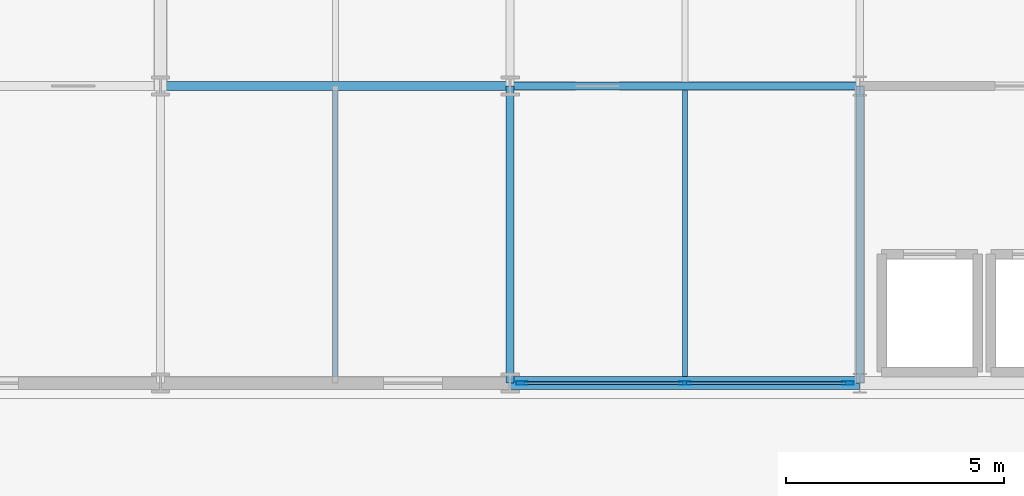
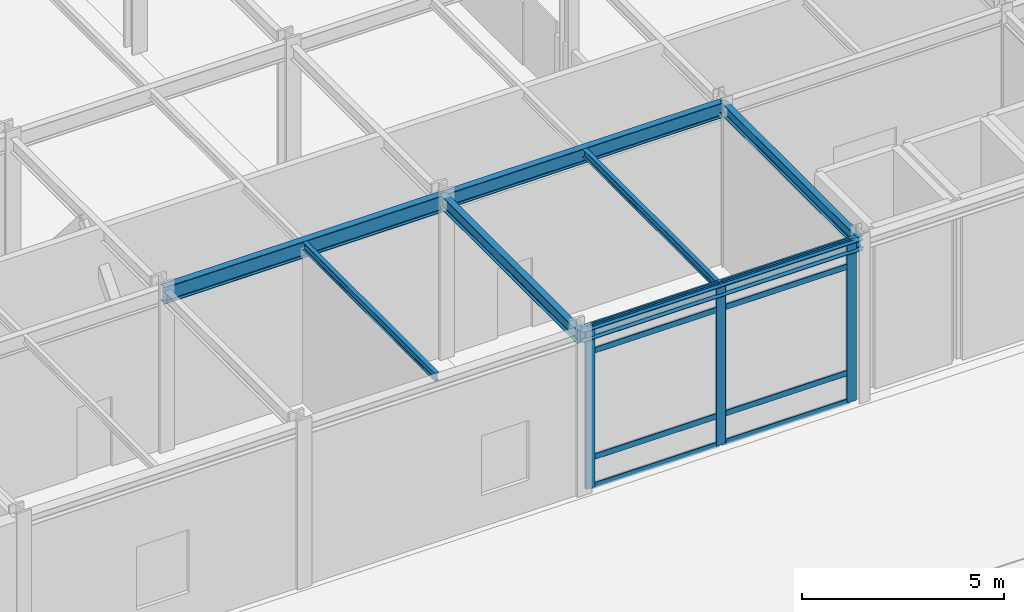
# One storey, part 26 of 113: 11 members, 7 beams, 1 element without a shape of its own.
"""IFC4 building model written with IfcOpenShell, lengths in metres."""

from ifc_helpers import new_model, si_unit, direction, frame, origin, origin_2d, place, context, subcontext, project, spatial, hollow_rectangle, i_section, extrude, material, layer, layer_set, material_profile, profile_set, type_object, element, aggregate, save


model = new_model("IFC4")

# Units and contexts
model_context = context("Model", 3, precision=1e-05, world=origin(), true_north=direction((0.0, 1.0)))
body_context = subcontext(model_context, "Body", "Model", "MODEL_VIEW")
ifc_project = project(units=[si_unit("LENGTHUNIT", "METRE"), si_unit("AREAUNIT", "SQUARE_METRE"), si_unit("VOLUMEUNIT", "CUBIC_METRE"), si_unit("PLANEANGLEUNIT", "RADIAN"), si_unit("MASSUNIT", "GRAM", prefix="KILO")], contexts=[model_context])

# Site, building, storey
site_placement = place(None, origin())
site = spatial("IfcSite", under=ifc_project, at=site_placement, CompositionType="ELEMENT")
building_placement = place(site_placement, origin())
building = spatial("IfcBuilding", under=site, at=building_placement, Name="Shalkamar Park Central Library", CompositionType="ELEMENT")
storey_placement = place(building_placement, frame((0.0, 0.0, 5.39990234375)))
storey = spatial("IfcBuildingStorey", under=building, at=storey_placement, Name="L02", CompositionType="ELEMENT", Elevation=5.39990234375)

# Beams
ifc_material_1 = material(Name="Steel S355", Category="steel")
ifc_material_profile_1 = material_profile(ifc_material_1, i_section(OverallWidth=0.1201171875, OverallDepth=0.239990234375, WebThickness=0.006103515625, FlangeThickness=0.009765625, FilletRadius=0.014892578125, at=origin_2d()), Name="IPE 240")
ifc_profile_set_1 = profile_set([ifc_material_profile_1], Name="Steel S355")
beam_type_1 = type_object("IfcBeamType", Name="Composite Floor Joist IPE240", PredefinedType="JOIST", material=ifc_profile_set_1)
beam_1_placement = place(storey_placement, frame((217.0, 248.548095703125, 4.739990234375), z_axis=(0.0, 1.0, 0.0), x_axis=(-1.0, 0.0, 0.0)))
element("IfcBeam", 1, at=beam_1_placement, inside=storey, type_object=beam_type_1, Name="Composite Joist 13/B-1 (L02)", PredefinedType="JOIST", context=body_context, shape_type="SweptSolid", body=[
    extrude(i_section(OverallWidth=0.1201171875, OverallDepth=0.239990234375, WebThickness=0.006103515625, FlangeThickness=0.009765625, FilletRadius=0.014892578125, at=origin_2d()), origin(), (0.0, 0.0, 1.0), 6.553955078125),
])
beam_2_placement = place(storey_placement, frame((225.0, 248.548095703125, 4.739990234375), z_axis=(0.0, 1.0, 0.0), x_axis=(-1.0, 0.0, 0.0)))
element("IfcBeam", 2, at=beam_2_placement, inside=storey, type_object=beam_type_1, Name="Composite Joist 14/B-1 (L02)", PredefinedType="JOIST", context=body_context, shape_type="SweptSolid", body=[
    extrude(i_section(OverallWidth=0.1201171875, OverallDepth=0.239990234375, WebThickness=0.006103515625, FlangeThickness=0.009765625, FilletRadius=0.014892578125, at=origin_2d()), origin(), (0.0, 0.0, 1.0), 6.558837890625),
])

# Curtain wall, members
ifc_material_2 = material(Name="Thermally broken aluminium and triple low-e curtain wall", Category="aluminium")
ifc_layer = layer(ifc_material_2, 0.27001953125)
ifc_layer_set = layer_set([ifc_layer], Name="UnitisedCurtainWall_19")
curtain_wall_type = type_object("IfcCurtainWallType", Name="Unitised Curtain Wall 19", PredefinedType="USERDEFINED", material=ifc_layer_set)
curtain_wall_placement = place(storey_placement, origin())
curtain_wall = element("IfcCurtainWall", 3, at=curtain_wall_placement, inside=storey, type_object=curtain_wall_type, Name="Unitised Curtain Wall CW-L02-021", ObjectType="UNITISED CURTAIN WALL", PredefinedType="USERDEFINED")
ifc_material_3 = material(Name="Aluminium 6060-T66", Category="aluminium")
ifc_material_profile_2 = material_profile(ifc_material_3, hollow_rectangle(XDim=0.080078125, YDim=0.27001953125, WallThickness=0.0048828125, InnerFilletRadius=0.0048828125, OuterFilletRadius=0.007568359375, at=origin_2d()), Name="ALU 80x270x5")
ifc_profile_set_2 = profile_set([ifc_material_profile_2], Name="Aluminium 6060-T66")
member_type_1 = type_object("IfcMemberType", Name="Curtain Wall Mullion ALU80x270", PredefinedType="MULLION", material=ifc_profile_set_2)
member_1_placement = place(storey_placement, frame((221.271484375, 248.39990234375, 0.0), z_axis=(0.0, 0.0, 1.0), x_axis=(0.0, 1.0, 0.0)))
member_1 = element("IfcMember", 4, at=member_1_placement, type_object=member_type_1, Name="CW-19 mullion 1", PredefinedType="MULLION", context=body_context, shape_type="SweptSolid", body=[
    extrude(hollow_rectangle(XDim=0.080078125, YDim=0.27001953125, WallThickness=0.0048828125, InnerFilletRadius=0.0048828125, OuterFilletRadius=0.007568359375, at=origin_2d()), origin(), (0.0, 0.0, 1.0), 4.860107421875),
])
member_2_placement = place(storey_placement, frame((225.001220703125, 248.39990234375, 0.0), z_axis=(0.0, 0.0, 1.0), x_axis=(0.0, 1.0, 0.0)))
member_2 = element("IfcMember", 5, at=member_2_placement, type_object=member_type_1, Name="CW-19 mullion 2", PredefinedType="MULLION", context=body_context, shape_type="SweptSolid", body=[
    extrude(hollow_rectangle(XDim=0.080078125, YDim=0.27001953125, WallThickness=0.0048828125, InnerFilletRadius=0.0048828125, OuterFilletRadius=0.007568359375, at=origin_2d()), origin(), (0.0, 0.0, 1.0), 4.860107421875),
])
member_3_placement = place(storey_placement, frame((228.73095703125, 248.39990234375, 0.0), z_axis=(0.0, 0.0, 1.0), x_axis=(0.0, 1.0, 0.0)))
member_3 = element("IfcMember", 6, at=member_3_placement, type_object=member_type_1, Name="CW-19 mullion 3", PredefinedType="MULLION", context=body_context, shape_type="SweptSolid", body=[
    extrude(hollow_rectangle(XDim=0.080078125, YDim=0.27001953125, WallThickness=0.0048828125, InnerFilletRadius=0.0048828125, OuterFilletRadius=0.007568359375, at=origin_2d()), origin(), (0.0, 0.0, 1.0), 4.860107421875),
])
ifc_material_profile_3 = material_profile(ifc_material_3, hollow_rectangle(XDim=0.06494140625, YDim=0.175048828125, WallThickness=0.00439453125, InnerFilletRadius=0.00439453125, OuterFilletRadius=0.0068359375, at=origin_2d()), Name="ALU 65x175x4.5")
ifc_profile_set_3 = profile_set([ifc_material_profile_3], Name="Aluminium 6060-T66")
member_type_2 = type_object("IfcMemberType", Name="Curtain Wall Transom ALU65x175", PredefinedType="USERDEFINED", material=ifc_profile_set_3)
member_4_placement = place(storey_placement, frame((221.3115234375, 248.39990234375, 0.03271484375), z_axis=(1.0, 0.0, 0.0), x_axis=(0.0, 1.0, 0.0)))
member_4 = element("IfcMember", 7, at=member_4_placement, type_object=member_type_2, Name="CW-19 transom 1.1", ObjectType="TRANSOM", PredefinedType="USERDEFINED", context=body_context, shape_type="SweptSolid", body=[
    extrude(hollow_rectangle(XDim=0.06494140625, YDim=0.175048828125, WallThickness=0.00439453125, InnerFilletRadius=0.00439453125, OuterFilletRadius=0.0068359375, at=origin_2d()), origin(), (0.0, 0.0, 1.0), 3.649658203125),
])
member_5_placement = place(storey_placement, frame((221.3115234375, 248.39990234375, 0.900146484375), z_axis=(1.0, 0.0, 0.0), x_axis=(0.0, 1.0, 0.0)))
member_5 = element("IfcMember", 8, at=member_5_placement, type_object=member_type_2, Name="CW-19 transom 1.2", ObjectType="TRANSOM", PredefinedType="USERDEFINED", context=body_context, shape_type="SweptSolid", body=[
    extrude(hollow_rectangle(XDim=0.06494140625, YDim=0.175048828125, WallThickness=0.00439453125, InnerFilletRadius=0.00439453125, OuterFilletRadius=0.0068359375, at=origin_2d()), origin(), (0.0, 0.0, 1.0), 3.649658203125),
])
member_6_placement = place(storey_placement, frame((221.3115234375, 248.39990234375, 4.110107421875), z_axis=(1.0, 0.0, 0.0), x_axis=(0.0, 1.0, 0.0)))
member_6 = element("IfcMember", 9, at=member_6_placement, type_object=member_type_2, Name="CW-19 transom 1.3", ObjectType="TRANSOM", PredefinedType="USERDEFINED", context=body_context, shape_type="SweptSolid", body=[
    extrude(hollow_rectangle(XDim=0.06494140625, YDim=0.175048828125, WallThickness=0.00439453125, InnerFilletRadius=0.00439453125, OuterFilletRadius=0.0068359375, at=origin_2d()), origin(), (0.0, 0.0, 1.0), 3.649658203125),
])
member_7_placement = place(storey_placement, frame((221.3115234375, 248.39990234375, 4.82763671875), z_axis=(1.0, 0.0, 0.0), x_axis=(0.0, 1.0, 0.0)))
member_7 = element("IfcMember", 10, at=member_7_placement, type_object=member_type_2, Name="CW-19 transom 1.4", ObjectType="TRANSOM", PredefinedType="USERDEFINED", context=body_context, shape_type="SweptSolid", body=[
    extrude(hollow_rectangle(XDim=0.06494140625, YDim=0.175048828125, WallThickness=0.00439453125, InnerFilletRadius=0.00439453125, OuterFilletRadius=0.0068359375, at=origin_2d()), origin(), (0.0, 0.0, 1.0), 3.649658203125),
])
member_8_placement = place(storey_placement, frame((225.041259765625, 248.39990234375, 0.03271484375), z_axis=(1.0, 0.0, 0.0), x_axis=(0.0, 1.0, 0.0)))
member_8 = element("IfcMember", 11, at=member_8_placement, type_object=member_type_2, Name="CW-19 transom 2.1", ObjectType="TRANSOM", PredefinedType="USERDEFINED", context=body_context, shape_type="SweptSolid", body=[
    extrude(hollow_rectangle(XDim=0.06494140625, YDim=0.175048828125, WallThickness=0.00439453125, InnerFilletRadius=0.00439453125, OuterFilletRadius=0.0068359375, at=origin_2d()), origin(), (0.0, 0.0, 1.0), 3.649658203125),
])
member_9_placement = place(storey_placement, frame((225.041259765625, 248.39990234375, 0.900146484375), z_axis=(1.0, 0.0, 0.0), x_axis=(0.0, 1.0, 0.0)))
member_9 = element("IfcMember", 12, at=member_9_placement, type_object=member_type_2, Name="CW-19 transom 2.2", ObjectType="TRANSOM", PredefinedType="USERDEFINED", context=body_context, shape_type="SweptSolid", body=[
    extrude(hollow_rectangle(XDim=0.06494140625, YDim=0.175048828125, WallThickness=0.00439453125, InnerFilletRadius=0.00439453125, OuterFilletRadius=0.0068359375, at=origin_2d()), origin(), (0.0, 0.0, 1.0), 3.649658203125),
])
member_10_placement = place(storey_placement, frame((225.041259765625, 248.39990234375, 4.110107421875), z_axis=(1.0, 0.0, 0.0), x_axis=(0.0, 1.0, 0.0)))
member_10 = element("IfcMember", 13, at=member_10_placement, type_object=member_type_2, Name="CW-19 transom 2.3", ObjectType="TRANSOM", PredefinedType="USERDEFINED", context=body_context, shape_type="SweptSolid", body=[
    extrude(hollow_rectangle(XDim=0.06494140625, YDim=0.175048828125, WallThickness=0.00439453125, InnerFilletRadius=0.00439453125, OuterFilletRadius=0.0068359375, at=origin_2d()), origin(), (0.0, 0.0, 1.0), 3.649658203125),
])
member_11_placement = place(storey_placement, frame((225.041259765625, 248.39990234375, 4.82763671875), z_axis=(1.0, 0.0, 0.0), x_axis=(0.0, 1.0, 0.0)))
member_11 = element("IfcMember", 14, at=member_11_placement, type_object=member_type_2, Name="CW-19 transom 2.4", ObjectType="TRANSOM", PredefinedType="USERDEFINED", context=body_context, shape_type="SweptSolid", body=[
    extrude(hollow_rectangle(XDim=0.06494140625, YDim=0.175048828125, WallThickness=0.00439453125, InnerFilletRadius=0.00439453125, OuterFilletRadius=0.0068359375, at=origin_2d()), origin(), (0.0, 0.0, 1.0), 3.649658203125),
])
aggregate(curtain_wall, [member_1, member_2, member_3, member_4, member_5, member_6, member_7, member_8, member_9, member_10, member_11])

# Beams
ifc_material_profile_4 = material_profile(ifc_material_1, i_section(OverallWidth=0.300048828125, OverallDepth=0.31005859375, WebThickness=0.009033203125, FlangeThickness=0.015380859375, FilletRadius=0.027099609375, at=origin_2d()), Name="HEA 320")
ifc_profile_set_4 = profile_set([ifc_material_profile_4], Name="Steel S355")
beam_type_2 = type_object("IfcBeamType", Name="Perimeter Spandrel Beam HEA320", PredefinedType="SPANDREL", material=ifc_profile_set_4)
beam_3_placement = place(storey_placement, frame((221.0, 248.39990234375, 4.705078125), z_axis=(1.0, 0.0, 0.0), x_axis=(0.0, 1.0, 0.0)))
element("IfcBeam", 15, at=beam_3_placement, inside=storey, type_object=beam_type_2, Name="Beam B:14-15 (L02)", PredefinedType="SPANDREL", context=body_context, shape_type="SweptSolid", body=[
    extrude(i_section(OverallWidth=0.300048828125, OverallDepth=0.31005859375, WebThickness=0.009033203125, FlangeThickness=0.015380859375, FilletRadius=0.027099609375, at=origin_2d()), origin(), (0.0, 0.0, 1.0), 8.0),
])
ifc_material_profile_5 = material_profile(ifc_material_1, i_section(OverallWidth=0.169921875, OverallDepth=0.360107421875, WebThickness=0.008056640625, FlangeThickness=0.0126953125, FilletRadius=0.01806640625, at=origin_2d()), Name="IPE 360")
ifc_profile_set_5 = profile_set([ifc_material_profile_5], Name="Steel S355")
beam_type_3 = type_object("IfcBeamType", Name="Primary Girder IPE360", PredefinedType="BEAM", material=ifc_profile_set_5)
beam_4_placement = place(storey_placement, frame((229.0, 248.39990234375, 4.68017578125), z_axis=(0.0, 1.0, 0.0), x_axis=(-1.0, 0.0, 0.0)))
element("IfcBeam", 16, at=beam_4_placement, inside=storey, type_object=beam_type_3, Name="Beam 15:B-C (L02)", PredefinedType="BEAM", context=body_context, shape_type="SweptSolid", body=[
    extrude(i_section(OverallWidth=0.169921875, OverallDepth=0.360107421875, WebThickness=0.008056640625, FlangeThickness=0.0126953125, FilletRadius=0.01806640625, at=origin_2d()), origin(), (0.0, 0.0, 1.0), 6.800048828125),
])
ifc_material_profile_6 = material_profile(ifc_material_1, i_section(OverallWidth=0.179931640625, OverallDepth=0.39990234375, WebThickness=0.008544921875, FlangeThickness=0.013427734375, FilletRadius=0.02099609375, at=origin_2d()), Name="IPE 400")
ifc_profile_set_6 = profile_set([ifc_material_profile_6], Name="Steel S355")
beam_type_4 = type_object("IfcBeamType", Name="Primary Girder IPE400", PredefinedType="BEAM", material=ifc_profile_set_6)
beam_5_placement = place(storey_placement, frame((221.0, 248.39990234375, 4.66015625), z_axis=(0.0, 1.0, 0.0), x_axis=(-1.0, 0.0, 0.0)))
element("IfcBeam", 17, at=beam_5_placement, inside=storey, type_object=beam_type_4, Name="Beam 14:B-C (L02)", PredefinedType="BEAM", context=body_context, shape_type="SweptSolid", body=[
    extrude(i_section(OverallWidth=0.179931640625, OverallDepth=0.39990234375, WebThickness=0.008544921875, FlangeThickness=0.013427734375, FilletRadius=0.02099609375, at=origin_2d()), origin(), (0.0, 0.0, 1.0), 6.800048828125),
])
ifc_material_profile_7 = material_profile(ifc_material_1, i_section(OverallWidth=0.18994140625, OverallDepth=0.449951171875, WebThickness=0.009521484375, FlangeThickness=0.0146484375, FilletRadius=0.02099609375, at=origin_2d()), Name="IPE 450")
ifc_profile_set_7 = profile_set([ifc_material_profile_7], Name="Steel S355")
beam_type_5 = type_object("IfcBeamType", Name="Primary Girder IPE450", PredefinedType="BEAM", material=ifc_profile_set_7)
beam_6_placement = place(storey_placement, frame((221.0, 255.199951171875, 4.635009765625), z_axis=(1.0, 0.0, 0.0), x_axis=(0.0, 1.0, 0.0)))
element("IfcBeam", 18, at=beam_6_placement, inside=storey, type_object=beam_type_5, Name="Beam C:14-15 (L02)", PredefinedType="BEAM", context=body_context, shape_type="SweptSolid", body=[
    extrude(i_section(OverallWidth=0.18994140625, OverallDepth=0.449951171875, WebThickness=0.009521484375, FlangeThickness=0.0146484375, FilletRadius=0.02099609375, at=origin_2d()), origin(), (0.0, 0.0, 1.0), 8.0),
])
ifc_material_profile_8 = material_profile(ifc_material_1, i_section(OverallWidth=0.199951171875, OverallDepth=0.5, WebThickness=0.01025390625, FlangeThickness=0.01611328125, FilletRadius=0.02099609375, at=origin_2d()), Name="IPE 500")
ifc_profile_set_8 = profile_set([ifc_material_profile_8], Name="Steel S355")
beam_type_6 = type_object("IfcBeamType", Name="Primary Girder IPE500", PredefinedType="BEAM", material=ifc_profile_set_8)
beam_7_placement = place(storey_placement, frame((213.0, 255.199951171875, 4.610107421875), z_axis=(1.0, 0.0, 0.0), x_axis=(0.0, 1.0, 0.0)))
element("IfcBeam", 19, at=beam_7_placement, inside=storey, type_object=beam_type_6, Name="Beam C:13-14 (L02)", PredefinedType="BEAM", context=body_context, shape_type="SweptSolid", body=[
    extrude(i_section(OverallWidth=0.199951171875, OverallDepth=0.5, WebThickness=0.01025390625, FlangeThickness=0.01611328125, FilletRadius=0.02099609375, at=origin_2d()), origin(), (0.0, 0.0, 1.0), 8.0),
])

save(model, "model.ifc")
